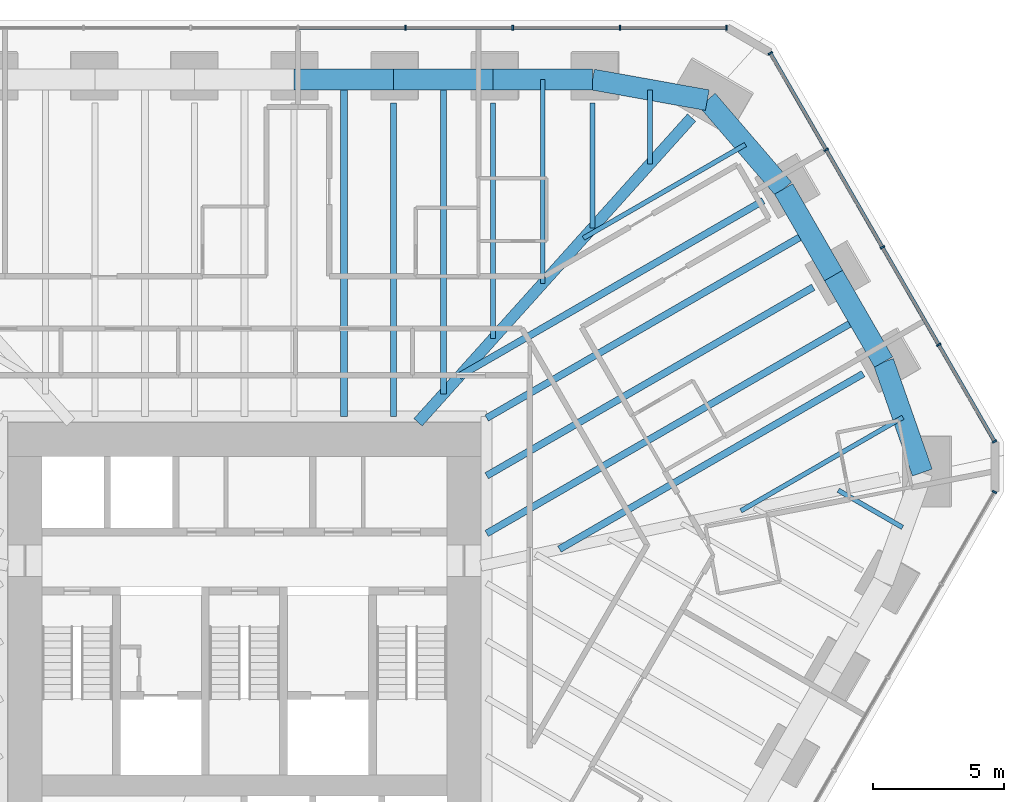
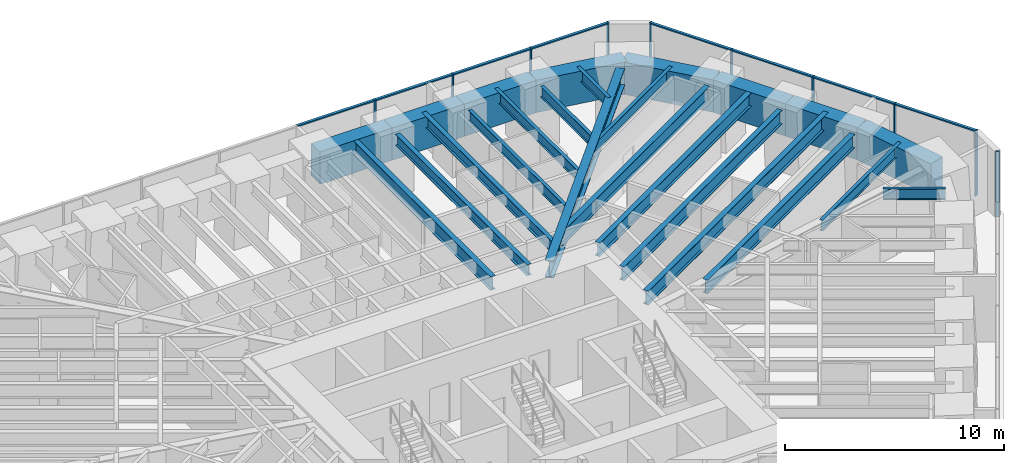
# One storey, part 9 of 17: 24 beams, 18 members, 3 elements without a shape of their own.
"""IFC4 building model written with IfcOpenShell, lengths in metres."""

from ifc_helpers import new_model, si_unit, direction, frame, origin, origin_2d, place, context, subcontext, project, spatial, rectangle, i_section, extrude, material, material_profile, profile_set, type_object, element, aggregate, save


model = new_model("IFC4")

# Units and contexts
model_context = context("Model", 3, precision=1e-05, world=origin(), true_north=direction((0.0, 1.0)))
body_context = subcontext(model_context, "Body", "Model", "MODEL_VIEW")
ifc_project = project(units=[si_unit("LENGTHUNIT", "METRE"), si_unit("AREAUNIT", "SQUARE_METRE"), si_unit("VOLUMEUNIT", "CUBIC_METRE"), si_unit("PLANEANGLEUNIT", "RADIAN"), si_unit("MASSUNIT", "GRAM", prefix="KILO")], contexts=[model_context])

# Site, building, storey
site_placement = place(None, origin())
site = spatial("IfcSite", under=ifc_project, at=site_placement, CompositionType="ELEMENT")
building_placement = place(site_placement, origin())
building = spatial("IfcBuilding", under=site, at=building_placement, Name="Sandreach Pilgrim Tower", CompositionType="ELEMENT")
storey_placement = place(building_placement, frame((0.0, 0.0, 161.39990234375)))
storey = spatial("IfcBuildingStorey", under=building, at=storey_placement, Name="L40", CompositionType="ELEMENT", Elevation=161.39990234375)

# Curtain wall, members
ifc_material_1 = material(Name="Aluminium framed curtain wall", Category="aluminium")
curtain_wall_type = type_object("IfcCurtainWallType", Name="Hotel tower curtain wall", PredefinedType="NOTDEFINED", material=ifc_material_1)
curtain_wall_1_placement = place(storey_placement, origin())
curtain_wall_1 = element("IfcCurtainWall", 1, at=curtain_wall_1_placement, inside=storey, type_object=curtain_wall_type, Name="CW-2 L40 N", PredefinedType="NOTDEFINED")
ifc_material_2 = material(Name="Aluminium extrusion", Category="aluminium")
ifc_material_profile_1 = material_profile(ifc_material_2, rectangle(XDim=0.06494140625, YDim=0.179931640625, at=origin_2d()), Name="CW-2M 65X180")
ifc_profile_set_1 = profile_set([ifc_material_profile_1], Name="Aluminium extrusion")
member_type_1 = type_object("IfcMemberType", Name="CW-2 mullion", PredefinedType="MULLION", material=ifc_profile_set_1)
member_1_placement = place(storey_placement, frame((6.160400390625, 22.493896484375, 0.0), z_axis=(0.0, 0.0, 1.0), x_axis=(1.0, 0.0, 0.0)))
member_1 = element("IfcMember", 2, at=member_1_placement, type_object=member_type_1, Name="CW-2 mullion 7", PredefinedType="MULLION", context=body_context, shape_type="SweptSolid", body=[
    extrude(rectangle(XDim=0.06494140625, YDim=0.179931640625, at=origin_2d()), origin(), (0.0, 0.0, 1.0), 3.64013671875),
])
member_2_placement = place(storey_placement, frame((10.267333984375, 22.493896484375, 0.0), z_axis=(0.0, 0.0, 1.0), x_axis=(1.0, 0.0, 0.0)))
member_2 = element("IfcMember", 3, at=member_2_placement, type_object=member_type_1, Name="CW-2 mullion 8", PredefinedType="MULLION", context=body_context, shape_type="SweptSolid", body=[
    extrude(rectangle(XDim=0.06494140625, YDim=0.179931640625, at=origin_2d()), origin(), (0.0, 0.0, 1.0), 3.64013671875),
])
member_3_placement = place(storey_placement, frame((14.37451171875, 22.493896484375, 0.0), z_axis=(0.0, 0.0, 1.0), x_axis=(1.0, 0.0, 0.0)))
member_3 = element("IfcMember", 4, at=member_3_placement, type_object=member_type_1, Name="CW-2 mullion 9", PredefinedType="MULLION", context=body_context, shape_type="SweptSolid", body=[
    extrude(rectangle(XDim=0.06494140625, YDim=0.179931640625, at=origin_2d()), origin(), (0.0, 0.0, 1.0), 3.64013671875),
])
member_4_placement = place(storey_placement, frame((18.448974609375, 22.493896484375, 0.0), z_axis=(0.0, 0.0, 1.0), x_axis=(1.0, 0.0, 0.0)))
member_4 = element("IfcMember", 5, at=member_4_placement, type_object=member_type_1, Name="CW-2 mullion 10", PredefinedType="MULLION", context=body_context, shape_type="SweptSolid", body=[
    extrude(rectangle(XDim=0.06494140625, YDim=0.179931640625, at=origin_2d()), origin(), (0.0, 0.0, 1.0), 3.64013671875),
])

curtain_wall_2_placement = place(storey_placement, origin())
curtain_wall_2 = element("IfcCurtainWall", 6, at=curtain_wall_2_placement, inside=storey, type_object=curtain_wall_type, Name="CW-2 L40 NE", PredefinedType="NOTDEFINED")
member_5_placement = place(storey_placement, frame((20.125732421875, 21.525634765625, 0.0), z_axis=(0.0, 0.0, 1.0), x_axis=(0.5, -0.866025403784, 0.0)))
member_5 = element("IfcMember", 7, at=member_5_placement, type_object=member_type_1, Name="CW-2 mullion 1", PredefinedType="MULLION", context=body_context, shape_type="SweptSolid", body=[
    extrude(rectangle(XDim=0.06494140625, YDim=0.179931640625, at=origin_2d()), origin(), (0.0, 0.0, 1.0), 3.64013671875),
])
member_6_placement = place(storey_placement, frame((22.262451171875, 17.824951171875, 0.0), z_axis=(0.0, 0.0, 1.0), x_axis=(0.5, -0.866025403784, 0.0)))
member_6 = element("IfcMember", 8, at=member_6_placement, type_object=member_type_1, Name="CW-2 mullion 2", PredefinedType="MULLION", context=body_context, shape_type="SweptSolid", body=[
    extrude(rectangle(XDim=0.06494140625, YDim=0.179931640625, at=origin_2d()), origin(), (0.0, 0.0, 1.0), 3.64013671875),
])
member_7_placement = place(storey_placement, frame((24.415283203125, 14.09619140625, 0.0), z_axis=(0.0, 0.0, 1.0), x_axis=(0.5, -0.866025403784, 0.0)))
member_7 = element("IfcMember", 9, at=member_7_placement, type_object=member_type_1, Name="CW-2 mullion 3", PredefinedType="MULLION", context=body_context, shape_type="SweptSolid", body=[
    extrude(rectangle(XDim=0.06494140625, YDim=0.179931640625, at=origin_2d()), origin(), (0.0, 0.0, 1.0), 3.64013671875),
])
member_8_placement = place(storey_placement, frame((26.568115234375, 10.3671875, 0.0), z_axis=(0.0, 0.0, 1.0), x_axis=(0.5, -0.866025403784, 0.0)))
member_8 = element("IfcMember", 10, at=member_8_placement, type_object=member_type_1, Name="CW-2 mullion 4", PredefinedType="MULLION", context=body_context, shape_type="SweptSolid", body=[
    extrude(rectangle(XDim=0.06494140625, YDim=0.179931640625, at=origin_2d()), origin(), (0.0, 0.0, 1.0), 3.64013671875),
])
member_9_placement = place(storey_placement, frame((28.70458984375, 6.66650390625, 0.0), z_axis=(0.0, 0.0, 1.0), x_axis=(0.5, -0.866025403784, 0.0)))
member_9 = element("IfcMember", 11, at=member_9_placement, type_object=member_type_1, Name="CW-2 mullion 5", PredefinedType="MULLION", context=body_context, shape_type="SweptSolid", body=[
    extrude(rectangle(XDim=0.06494140625, YDim=0.179931640625, at=origin_2d()), origin(), (0.0, 0.0, 1.0), 3.64013671875),
])

# Curtain wall, member
curtain_wall_3_placement = place(storey_placement, origin())
curtain_wall_3 = element("IfcCurtainWall", 12, at=curtain_wall_3_placement, inside=storey, type_object=curtain_wall_type, Name="CW-2 L40 SE", PredefinedType="NOTDEFINED")
member_10_placement = place(storey_placement, frame((28.70458984375, 4.730224609375, 0.0), z_axis=(0.0, 0.0, 1.0), x_axis=(-0.5, -0.866025403784, 0.0)))
member_10 = element("IfcMember", 13, at=member_10_placement, type_object=member_type_1, Name="CW-2 mullion 1", PredefinedType="MULLION", context=body_context, shape_type="SweptSolid", body=[
    extrude(rectangle(XDim=0.06494140625, YDim=0.179931640625, at=origin_2d()), origin(), (0.0, 0.0, 1.0), 3.64013671875),
])
aggregate(curtain_wall_3, [member_10])

# Member
ifc_material_3 = material(Name="Aluminium extrusion", Category="aluminium")
ifc_material_profile_2 = material_profile(ifc_material_3, rectangle(XDim=0.139892578125, YDim=0.070068359375, at=origin_2d()), Name="CW-2T 140X70")
ifc_profile_set_2 = profile_set([ifc_material_profile_2], Name="Aluminium extrusion")
member_type_2 = type_object("IfcMemberType", Name="CW-2 transom", PredefinedType="USERDEFINED", material=ifc_profile_set_2)
member_11_placement = place(storey_placement, frame((2.0859375, 22.493896484375, 3.60498046875), z_axis=(1.0, 0.0, 0.0), x_axis=(0.0, 1.0, 0.0)))
member_11 = element("IfcMember", 14, at=member_11_placement, type_object=member_type_2, Name="CW-2 head transom 6", ObjectType="TRANSOM", PredefinedType="USERDEFINED", context=body_context, shape_type="SweptSolid", body=[
    extrude(rectangle(XDim=0.139892578125, YDim=0.070068359375, at=origin_2d()), origin(), (0.0, 0.0, 1.0), 4.0419921875),
])

member_12_placement = place(storey_placement, frame((6.19287109375, 22.493896484375, 3.60498046875), z_axis=(1.0, 0.0, 0.0), x_axis=(0.0, 1.0, 0.0)))
member_12 = element("IfcMember", 15, at=member_12_placement, type_object=member_type_2, Name="CW-2 head transom 7", ObjectType="TRANSOM", PredefinedType="USERDEFINED", context=body_context, shape_type="SweptSolid", body=[
    extrude(rectangle(XDim=0.139892578125, YDim=0.070068359375, at=origin_2d()), origin(), (0.0, 0.0, 1.0), 4.0419921875),
])

member_13_placement = place(storey_placement, frame((10.300048828125, 22.493896484375, 3.60498046875), z_axis=(1.0, 0.0, 0.0), x_axis=(0.0, 1.0, 0.0)))
member_13 = element("IfcMember", 16, at=member_13_placement, type_object=member_type_2, Name="CW-2 head transom 8", ObjectType="TRANSOM", PredefinedType="USERDEFINED", context=body_context, shape_type="SweptSolid", body=[
    extrude(rectangle(XDim=0.139892578125, YDim=0.070068359375, at=origin_2d()), origin(), (0.0, 0.0, 1.0), 4.041748046875),
])

member_14_placement = place(storey_placement, frame((14.406982421875, 22.493896484375, 3.60498046875), z_axis=(1.0, 0.0, 0.0), x_axis=(0.0, 1.0, 0.0)))
member_14 = element("IfcMember", 17, at=member_14_placement, type_object=member_type_2, Name="CW-2 head transom 9", ObjectType="TRANSOM", PredefinedType="USERDEFINED", context=body_context, shape_type="SweptSolid", body=[
    extrude(rectangle(XDim=0.139892578125, YDim=0.070068359375, at=origin_2d()), origin(), (0.0, 0.0, 1.0), 4.00927734375),
])

aggregate(curtain_wall_1, [member_1, member_2, member_3, member_4, member_11, member_12, member_13, member_14])

member_15_placement = place(storey_placement, frame((20.14208984375, 21.49755859375, 3.60498046875), z_axis=(0.49997020258, -0.86604260665, 0.0), x_axis=(0.86604260665, 0.49997020258, 0.0)))
member_15 = element("IfcMember", 18, at=member_15_placement, type_object=member_type_2, Name="CW-2 head transom 1", ObjectType="TRANSOM", PredefinedType="USERDEFINED", context=body_context, shape_type="SweptSolid", body=[
    extrude(rectangle(XDim=0.139892578125, YDim=0.070068359375, at=origin_2d()), origin(), (0.0, 0.0, 1.0), 4.208251953125),
])

member_16_placement = place(storey_placement, frame((22.278564453125, 17.796875, 3.60498046875), z_axis=(0.499996541496, -0.866027400544, 0.0), x_axis=(0.866027400544, 0.499996541496, 0.0)))
member_16 = element("IfcMember", 19, at=member_16_placement, type_object=member_type_2, Name="CW-2 head transom 2", ObjectType="TRANSOM", PredefinedType="USERDEFINED", context=body_context, shape_type="SweptSolid", body=[
    extrude(rectangle(XDim=0.139892578125, YDim=0.070068359375, at=origin_2d()), origin(), (0.0, 0.0, 1.0), 4.24072265625),
])

member_17_placement = place(storey_placement, frame((24.431396484375, 14.06787109375, 3.60498046875), z_axis=(0.500021471012, -0.866013007135, 0.0), x_axis=(0.866013007135, 0.500021471012, 0.0)))
member_17 = element("IfcMember", 20, at=member_17_placement, type_object=member_type_2, Name="CW-2 head transom 3", ObjectType="TRANSOM", PredefinedType="USERDEFINED", context=body_context, shape_type="SweptSolid", body=[
    extrude(rectangle(XDim=0.139892578125, YDim=0.070068359375, at=origin_2d()), origin(), (0.0, 0.0, 1.0), 4.240478515625),
])

member_18_placement = place(storey_placement, frame((26.584228515625, 10.339111328125, 3.60498046875), z_axis=(0.500038835258, -0.866002981077, 0.0), x_axis=(0.866002981077, 0.500038835258, 0.0)))
member_18 = element("IfcMember", 21, at=member_18_placement, type_object=member_type_2, Name="CW-2 head transom 4", ObjectType="TRANSOM", PredefinedType="USERDEFINED", context=body_context, shape_type="SweptSolid", body=[
    extrude(rectangle(XDim=0.139892578125, YDim=0.070068359375, at=origin_2d()), origin(), (0.0, 0.0, 1.0), 4.208251953125),
])

aggregate(curtain_wall_2, [member_5, member_6, member_7, member_8, member_9, member_15, member_16, member_17, member_18])

# Beams
ifc_material_4 = material(Name="Steel ASTM A992 Grade 50", Category="steel")
ifc_material_profile_3 = material_profile(ifc_material_4, i_section(OverallWidth=0.424072265625, OverallDepth=0.947509765625, WebThickness=0.02392578125, FlangeThickness=0.042724609375, at=origin_2d()), Name="W36X302")
ifc_profile_set_3 = profile_set([ifc_material_profile_3], Name="Steel ASTM A992 Grade 50")
beam_type_1 = type_object("IfcBeamType", Name="Corner girder W36X302", PredefinedType="BEAM", material=ifc_profile_set_3)
beam_1_placement = place(storey_placement, frame((17.112060546875, 19.05712890625, 3.16650390625), z_axis=(-0.668110232317, -0.744062307521, 0.0), x_axis=(0.744062307521, -0.668110232317, 0.0)))
element("IfcBeam", 22, at=beam_1_placement, inside=storey, type_object=beam_type_1, Name="BM L40 CG09", PredefinedType="BEAM", context=body_context, shape_type="SweptSolid", body=[
    extrude(i_section(OverallWidth=0.424072265625, OverallDepth=0.947509765625, WebThickness=0.02392578125, FlangeThickness=0.042724609375, at=origin_2d()), origin(), (0.0, 0.0, 1.0), 15.6669921875),
])
ifc_material_5 = material(Name="Steel ASTM A992 Grade 50", Category="steel")
ifc_material_profile_4 = material_profile(ifc_material_5, i_section(OverallWidth=0.1787109375, OverallDepth=0.60205078125, WebThickness=0.010986328125, FlangeThickness=0.014892578125, at=origin_2d()), Name="W24X62")
ifc_profile_set_4 = profile_set([ifc_material_profile_4], Name="Steel ASTM A992 Grade 50")
beam_type_2 = type_object("IfcBeamType", Name="Floor beam W24X62", PredefinedType="BEAM", material=ifc_profile_set_4)
beam_2_placement = place(storey_placement, frame((9.516357421875, 19.614990234375, 3.339111328125), z_axis=(0.0, -1.0, 0.0), x_axis=(1.0, 0.0, 0.0)))
element("IfcBeam", 23, at=beam_2_placement, inside=storey, type_object=beam_type_2, Name="BM L40 F07", PredefinedType="BEAM", context=body_context, shape_type="SweptSolid", body=[
    extrude(i_section(OverallWidth=0.1787109375, OverallDepth=0.60205078125, WebThickness=0.010986328125, FlangeThickness=0.014892578125, at=origin_2d()), origin(), (0.0, 0.0, 1.0), 9.016845703125),
])
beam_3_placement = place(storey_placement, frame((13.322998046875, 19.614990234375, 3.339111328125), z_axis=(0.0, -1.0, 0.0), x_axis=(1.0, 0.0, 0.0)))
element("IfcBeam", 24, at=beam_3_placement, inside=storey, type_object=beam_type_2, Name="BM L40 F08", PredefinedType="BEAM", context=body_context, shape_type="SweptSolid", body=[
    extrude(i_section(OverallWidth=0.1787109375, OverallDepth=0.60205078125, WebThickness=0.010986328125, FlangeThickness=0.014892578125, at=origin_2d()), origin(), (0.0, 0.0, 1.0), 4.777587890625),
])
beam_4_placement = place(storey_placement, frame((11.419677734375, 20.514892578125, 3.339111328125), z_axis=(0.0, -1.0, 0.0), x_axis=(1.0, 0.0, 0.0)))
element("IfcBeam", 25, at=beam_4_placement, inside=storey, type_object=beam_type_2, Name="BM L40 FM07", PredefinedType="BEAM", context=body_context, shape_type="SweptSolid", body=[
    extrude(i_section(OverallWidth=0.1787109375, OverallDepth=0.60205078125, WebThickness=0.010986328125, FlangeThickness=0.014892578125, at=origin_2d()), origin(), (0.0, 0.0, 1.0), 7.797119140625),
])
beam_5_placement = place(storey_placement, frame((15.518310546875, 20.120849609375, 3.339111328125), z_axis=(0.0, -1.0, 0.0), x_axis=(1.0, 0.0, 0.0)))
element("IfcBeam", 26, at=beam_5_placement, inside=storey, type_object=beam_type_2, Name="BM L40 FM08", PredefinedType="BEAM", context=body_context, shape_type="SweptSolid", body=[
    extrude(i_section(OverallWidth=0.1787109375, OverallDepth=0.60205078125, WebThickness=0.010986328125, FlangeThickness=0.014892578125, at=origin_2d()), origin(), (0.0, 0.0, 1.0), 2.8388671875),
])
for number, where, z_axis, x_axis, name in (
    (27, (19.173828125, 18.02734375, 3.339111328125), (-0.866020927947, -0.500007752297, 0.0), (0.500007752297, -0.866020927947, 0.0), "BM L40 FM09"),
    (28, (25.198974609375, 7.59130859375, 3.339111328125), (-0.866020927947, -0.500007752297, 0.0), (0.500007752297, -0.866020927947, 0.0), "BM L40 FM12"),
):
    element("IfcBeam", number, at=place(storey_placement, frame(where, z_axis=z_axis, x_axis=x_axis)), inside=storey, type_object=beam_type_2, Name=name, PredefinedType="BEAM", context=body_context, shape_type="SweptSolid", body=[
        extrude(i_section(OverallWidth=0.1787109375, OverallDepth=0.60205078125, WebThickness=0.010986328125, FlangeThickness=0.014892578125, at=origin_2d()), origin(), (0.0, 0.0, 1.0), 7.16064453125),
    ])
beam_6_placement = place(storey_placement, frame((25.184326171875, 3.378662109375, 3.339111328125), z_axis=(-0.866022320763, 0.500005339912, 0.0), x_axis=(-0.500005339912, -0.866022320763, 0.0)))
element("IfcBeam", 29, at=beam_6_placement, inside=storey, type_object=beam_type_2, Name="BM L40 FM13", PredefinedType="BEAM", context=body_context, shape_type="SweptSolid", body=[
    extrude(i_section(OverallWidth=0.1787109375, OverallDepth=0.60205078125, WebThickness=0.010986328125, FlangeThickness=0.014892578125, at=origin_2d()), origin(), (0.0, 0.0, 1.0), 2.8388671875),
])
ifc_material_6 = material(Name="Steel ASTM A992 Grade 50", Category="steel")
ifc_material_profile_5 = material_profile(ifc_material_6, i_section(OverallWidth=0.23046875, OverallDepth=0.6171875, WebThickness=0.01318359375, FlangeThickness=0.022216796875, at=origin_2d()), Name="W24X94")
ifc_profile_set_5 = profile_set([ifc_material_profile_5], Name="Steel ASTM A992 Grade 50")
beam_type_3 = type_object("IfcBeamType", Name="Floor beam W24X94", PredefinedType="BEAM", material=ifc_profile_set_5)
beam_7_placement = place(storey_placement, frame((5.7099609375, 19.614990234375, 3.33154296875), z_axis=(0.0, -1.0, 0.0), x_axis=(1.0, 0.0, 0.0)))
element("IfcBeam", 30, at=beam_7_placement, inside=storey, type_object=beam_type_3, Name="BM L40 F06", PredefinedType="BEAM", context=body_context, shape_type="SweptSolid", body=[
    extrude(i_section(OverallWidth=0.23046875, OverallDepth=0.6171875, WebThickness=0.01318359375, FlangeThickness=0.022216796875, at=origin_2d()), origin(), (0.0, 0.0, 1.0), 11.992919921875),
])
beam_8_placement = place(storey_placement, frame((7.613037109375, 20.514892578125, 3.33154296875), z_axis=(0.0, -1.0, 0.0), x_axis=(1.0, 0.0, 0.0)))
element("IfcBeam", 31, at=beam_8_placement, inside=storey, type_object=beam_type_3, Name="BM L40 FM06", PredefinedType="BEAM", context=body_context, shape_type="SweptSolid", body=[
    extrude(i_section(OverallWidth=0.23046875, OverallDepth=0.6171875, WebThickness=0.01318359375, FlangeThickness=0.022216796875, at=origin_2d()), origin(), (0.0, 0.0, 1.0), 12.036376953125),
])
ifc_material_7 = material(Name="Steel ASTM A992 Grade 50", Category="steel")
ifc_material_profile_6 = material_profile(ifc_material_7, i_section(OverallWidth=0.2666015625, OverallDepth=0.761962890625, WebThickness=0.014404296875, FlangeThickness=0.021484375, at=origin_2d()), Name="W30X116")
ifc_profile_set_6 = profile_set([ifc_material_profile_6], Name="Steel ASTM A992 Grade 50")
beam_type_4 = type_object("IfcBeamType", Name="Floor beam W30X116", PredefinedType="BEAM", material=ifc_profile_set_6)
beam_9_placement = place(storey_placement, frame((19.854736328125, 15.8779296875, 3.259033203125), z_axis=(-0.866021399319, -0.500006935874, 0.0), x_axis=(0.500006935874, -0.866021399319, 0.0)))
element("IfcBeam", 32, at=beam_9_placement, inside=storey, type_object=beam_type_4, Name="BM L40 F10", PredefinedType="BEAM", context=body_context, shape_type="SweptSolid", body=[
    extrude(i_section(OverallWidth=0.2666015625, OverallDepth=0.761962890625, WebThickness=0.014404296875, FlangeThickness=0.021484375, at=origin_2d()), origin(), (0.0, 0.0, 1.0), 13.421142578125),
])
beam_10_placement = place(storey_placement, frame((21.766357421875, 12.56689453125, 3.259033203125), z_axis=(-0.866025804792, -0.499999305434, 0.0), x_axis=(0.499999305434, -0.866025804792, 0.0)))
element("IfcBeam", 33, at=beam_10_placement, inside=storey, type_object=beam_type_4, Name="BM L40 F11", PredefinedType="BEAM", context=body_context, shape_type="SweptSolid", body=[
    extrude(i_section(OverallWidth=0.2666015625, OverallDepth=0.761962890625, WebThickness=0.014404296875, FlangeThickness=0.021484375, at=origin_2d()), origin(), (0.0, 0.0, 1.0), 14.42724609375),
])
beam_11_placement = place(storey_placement, frame((23.677978515625, 9.255859375, 3.259033203125), z_axis=(-0.866021399319, -0.500006935874, 0.0), x_axis=(0.500006935874, -0.866021399319, 0.0)))
element("IfcBeam", 34, at=beam_11_placement, inside=storey, type_object=beam_type_4, Name="BM L40 F12", PredefinedType="BEAM", context=body_context, shape_type="SweptSolid", body=[
    extrude(i_section(OverallWidth=0.2666015625, OverallDepth=0.761962890625, WebThickness=0.014404296875, FlangeThickness=0.021484375, at=origin_2d()), origin(), (0.0, 0.0, 1.0), 13.421142578125),
])
beam_12_placement = place(storey_placement, frame((3.806640625, 20.514892578125, 3.259033203125), z_axis=(0.0, -1.0, 0.0), x_axis=(1.0, 0.0, 0.0)))
element("IfcBeam", 35, at=beam_12_placement, inside=storey, type_object=beam_type_4, Name="BM L40 FM05", PredefinedType="BEAM", context=body_context, shape_type="SweptSolid", body=[
    extrude(i_section(OverallWidth=0.2666015625, OverallDepth=0.761962890625, WebThickness=0.014404296875, FlangeThickness=0.021484375, at=origin_2d()), origin(), (0.0, 0.0, 1.0), 12.892822265625),
])
beam_13_placement = place(storey_placement, frame((21.590087890625, 14.67236328125, 3.259033203125), z_axis=(-0.866026948466, -0.499997324523, 0.0), x_axis=(0.499997324523, -0.866026948466, 0.0)))
element("IfcBeam", 36, at=beam_13_placement, inside=storey, type_object=beam_type_4, Name="BM L40 FM10", PredefinedType="BEAM", context=body_context, shape_type="SweptSolid", body=[
    extrude(i_section(OverallWidth=0.2666015625, OverallDepth=0.761962890625, WebThickness=0.014404296875, FlangeThickness=0.021484375, at=origin_2d()), origin(), (0.0, 0.0, 1.0), 14.2236328125),
])
ifc_material_8 = material(Name="Steel ASTM A992 Grade 50", Category="steel")
ifc_material_profile_7 = material_profile(ifc_material_8, i_section(OverallWidth=0.2666015625, OverallDepth=0.77978515625, WebThickness=0.0166015625, FlangeThickness=0.030029296875, at=origin_2d()), Name="W30X148")
ifc_profile_set_7 = profile_set([ifc_material_profile_7], Name="Steel ASTM A992 Grade 50")
beam_type_5 = type_object("IfcBeamType", Name="Floor beam W30X148", PredefinedType="BEAM", material=ifc_profile_set_7)
beam_14_placement = place(storey_placement, frame((23.501708984375, 11.361328125, 3.250244140625), z_axis=(-0.866030939752, -0.499990411301, 0.0), x_axis=(0.499990411301, -0.866030939752, 0.0)))
element("IfcBeam", 37, at=beam_14_placement, inside=storey, type_object=beam_type_5, Name="BM L40 FM11", PredefinedType="BEAM", context=body_context, shape_type="SweptSolid", body=[
    extrude(i_section(OverallWidth=0.2666015625, OverallDepth=0.77978515625, WebThickness=0.0166015625, FlangeThickness=0.030029296875, at=origin_2d()), origin(), (0.0, 0.0, 1.0), 16.430908203125),
])
ifc_material_9 = material(Name="Concrete 10000 psi", Category="concrete")
ifc_material_profile_8 = material_profile(ifc_material_9, rectangle(XDim=0.800048828125, YDim=1.800048828125, at=origin_2d()), Name="RC800X1800")
ifc_profile_set_8 = profile_set([ifc_material_profile_8], Name="Concrete 10000 psi")
beam_type_6 = type_object("IfcBeamType", Name="Spandrel beam RC800X1800", PredefinedType="SPANDREL", material=ifc_profile_set_8)
beam_15_placement = place(storey_placement, frame((1.9033203125, 20.514892578125, 2.739990234375), z_axis=(1.0, 0.0, 0.0), x_axis=(0.0, 1.0, 0.0)))
element("IfcBeam", 38, at=beam_15_placement, inside=storey, type_object=beam_type_6, Name="BM L40 SP05", PredefinedType="SPANDREL", context=body_context, shape_type="SweptSolid", body=[
    extrude(rectangle(XDim=0.800048828125, YDim=1.800048828125, at=origin_2d()), origin(), (0.0, 0.0, 1.0), 3.806640625),
])
beam_16_placement = place(storey_placement, frame((5.7099609375, 20.514892578125, 2.739990234375), z_axis=(1.0, 0.0, 0.0), x_axis=(0.0, 1.0, 0.0)))
element("IfcBeam", 39, at=beam_16_placement, inside=storey, type_object=beam_type_6, Name="BM L40 SP06", PredefinedType="SPANDREL", context=body_context, shape_type="SweptSolid", body=[
    extrude(rectangle(XDim=0.800048828125, YDim=1.800048828125, at=origin_2d()), origin(), (0.0, 0.0, 1.0), 3.806396484375),
])
beam_17_placement = place(storey_placement, frame((9.516357421875, 20.514892578125, 2.739990234375), z_axis=(1.0, 0.0, 0.0), x_axis=(0.0, 1.0, 0.0)))
element("IfcBeam", 40, at=beam_17_placement, inside=storey, type_object=beam_type_6, Name="BM L40 SP07", PredefinedType="SPANDREL", context=body_context, shape_type="SweptSolid", body=[
    extrude(rectangle(XDim=0.800048828125, YDim=1.800048828125, at=origin_2d()), origin(), (0.0, 0.0, 1.0), 3.806640625),
])
beam_18_placement = place(storey_placement, frame((13.322998046875, 20.514892578125, 2.739990234375), z_axis=(0.984268522509, -0.176679018554, 0.0), x_axis=(0.176679018554, 0.984268522509, 0.0)))
element("IfcBeam", 41, at=beam_18_placement, inside=storey, type_object=beam_type_6, Name="BM L40 SP08", PredefinedType="SPANDREL", context=body_context, shape_type="SweptSolid", body=[
    extrude(rectangle(XDim=0.800048828125, YDim=1.800048828125, at=origin_2d()), origin(), (0.0, 0.0, 1.0), 4.46044921875),
])
beam_19_placement = place(storey_placement, frame((17.71337890625, 19.726806640625, 2.739990234375), z_axis=(0.651759888722, -0.758425373687, 0.0), x_axis=(0.758425373687, 0.651759888722, 0.0)))
element("IfcBeam", 42, at=beam_19_placement, inside=storey, type_object=beam_type_6, Name="BM L40 SP09", PredefinedType="SPANDREL", context=body_context, shape_type="SweptSolid", body=[
    extrude(rectangle(XDim=0.800048828125, YDim=1.800048828125, at=origin_2d()), origin(), (0.0, 0.0, 1.0), 4.4814453125),
])
for number, where, z_axis, x_axis, name in (
    (43, (20.63427734375, 16.327880859375, 2.739990234375), (0.499998833779, -0.866026077102, 0.0), (0.866026077102, 0.499998833779, 0.0), "BM L40 SP10"),
    (44, (22.5458984375, 13.016845703125, 2.739990234375), (0.499998833779, -0.866026077102, 0.0), (0.866026077102, 0.499998833779, 0.0), "BM L40 SP11"),
):
    element("IfcBeam", number, at=place(storey_placement, frame(where, z_axis=z_axis, x_axis=x_axis)), inside=storey, type_object=beam_type_6, Name=name, PredefinedType="SPANDREL", context=body_context, shape_type="SweptSolid", body=[
        extrude(rectangle(XDim=0.800048828125, YDim=1.800048828125, at=origin_2d()), origin(), (0.0, 0.0, 1.0), 3.8232421875),
    ])
beam_20_placement = place(storey_placement, frame((24.45751953125, 9.705810546875, 2.739990234375), z_axis=(0.330947299539, -0.943649238291, 0.0), x_axis=(0.943649238291, 0.330947299539, 0.0)))
element("IfcBeam", 45, at=beam_20_placement, inside=storey, type_object=beam_type_6, Name="BM L40 SP12", PredefinedType="SPANDREL", context=body_context, shape_type="SweptSolid", body=[
    extrude(rectangle(XDim=0.800048828125, YDim=1.800048828125, at=origin_2d()), origin(), (0.0, 0.0, 1.0), 4.4814453125),
])

save(model, "model.ifc")
